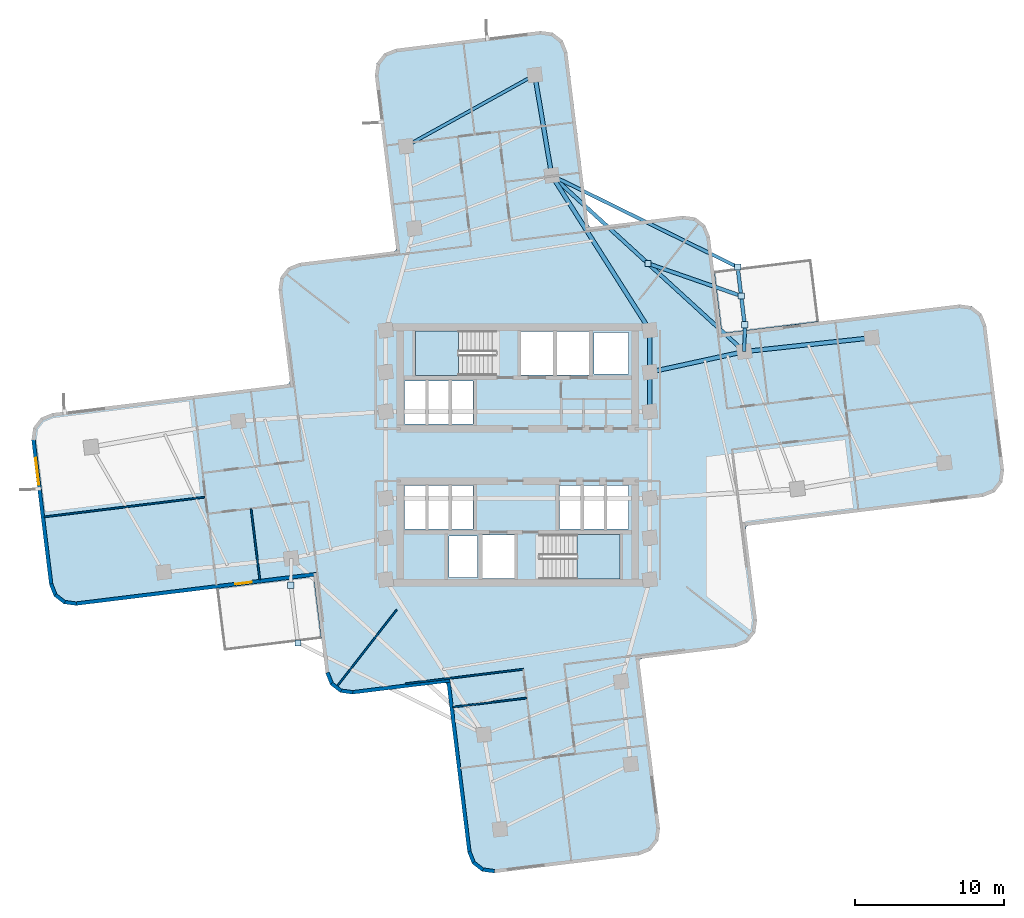
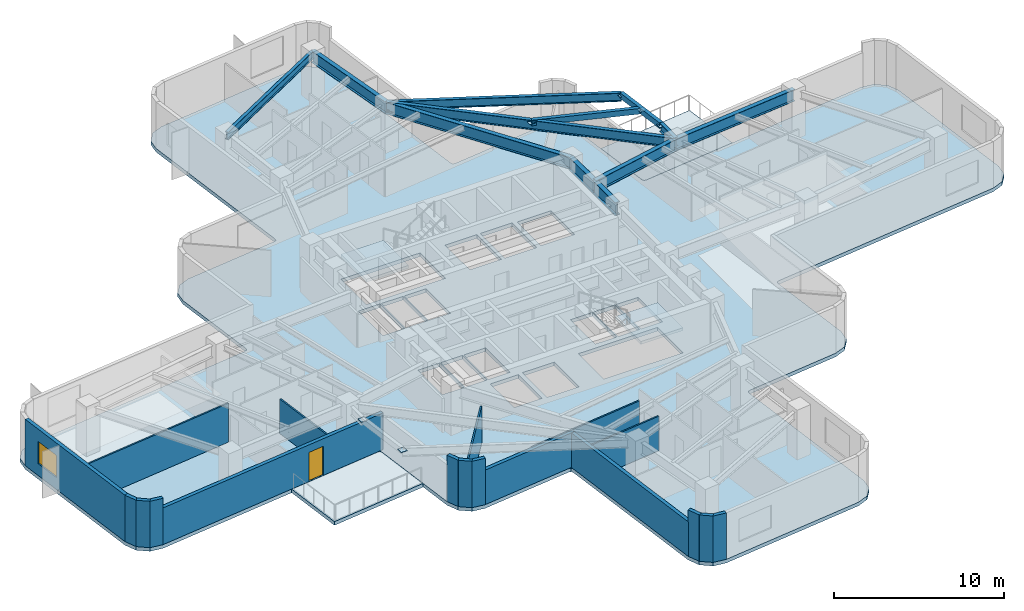
# One storey, part 2 of 9: 18 walls, 12 beams, 6 plates, 5 slabs, 1 door, 1 window, 2 openings, 2 elements without a shape of their own.
"""IFC4 building model written with IfcOpenShell, lengths in metres."""

from ifc_helpers import new_model, si_unit, direction, frame, frame_2d, origin, origin_2d, place, context, subcontext, project, spatial, polyline, rectangle, hollow_rectangle, i_section, outline, extrude, material, layer, layer_set, material_profile, profile_set, type_object, element, fill, aggregate, save


model = new_model("IFC4")

# Units and contexts
model_context = context("Model", 3, precision=1e-05, world=origin(), true_north=direction((0.0, 1.0)))
body_context = subcontext(model_context, "Body", "Model", "MODEL_VIEW")
ifc_project = project(units=[si_unit("LENGTHUNIT", "METRE"), si_unit("AREAUNIT", "SQUARE_METRE"), si_unit("VOLUMEUNIT", "CUBIC_METRE"), si_unit("PLANEANGLEUNIT", "RADIAN"), si_unit("MASSUNIT", "GRAM", prefix="KILO")], contexts=[model_context])

# Site, building, storey
site_placement = place(None, origin())
site = spatial("IfcSite", under=ifc_project, at=site_placement, CompositionType="ELEMENT")
building_placement = place(site_placement, origin())
building = spatial("IfcBuilding", under=site, at=building_placement, Name="Solmarez Civic Tower", CompositionType="ELEMENT")
storey_placement = place(building_placement, frame((0.0, 0.0, 78.47998046875)))
storey = spatial("IfcBuildingStorey", under=building, at=storey_placement, Name="L20", CompositionType="ELEMENT", Elevation=78.47998046875)

# Beams
ifc_material_1 = material(Name="Steel S355", Category="steel")
ifc_material_profile_1 = material_profile(ifc_material_1, i_section(OverallWidth=0.25390625, OverallDepth=0.68798828125, WebThickness=0.01318359375, FlangeThickness=0.02099609375, at=origin_2d()), Name="W27X102")
ifc_profile_set_1 = profile_set([ifc_material_profile_1], Name="Steel S355")
beam_type_1 = type_object("IfcBeamType", Name="BM-PR-W27X102", PredefinedType="BEAM", material=ifc_profile_set_1)
beam_1_placement = place(storey_placement, frame((15.175048828125, 6.927001953125, 2.99609375), z_axis=(-0.738053646973, 0.674742035292, 0.0), x_axis=(-0.674742035292, -0.738053646973, 0.0)))
element("IfcBeam", 1, at=beam_1_placement, inside=storey, type_object=beam_type_1, Name="L20 Primary Floor Beam BM-L20-BALC-NEC", PredefinedType="BEAM", context=body_context, shape_type="SweptSolid", body=[
    extrude(i_section(OverallWidth=0.25390625, OverallDepth=0.68798828125, WebThickness=0.01318359375, FlangeThickness=0.02099609375, at=origin_2d()), origin(), (0.0, 0.0, 1.0), 17.48388671875),
])
ifc_material_profile_2 = material_profile(ifc_material_1, i_section(OverallWidth=0.2919921875, OverallDepth=0.845947265625, WebThickness=0.015380859375, FlangeThickness=0.0244140625, at=origin_2d()), Name="W33X141")
ifc_profile_set_2 = profile_set([ifc_material_profile_2], Name="Steel S355")
beam_type_2 = type_object("IfcBeamType", Name="BM-PR-W33X141", PredefinedType="BEAM", material=ifc_profile_set_2)
beam_2_placement = place(storey_placement, frame((8.85009765625, 5.550048828125, 2.9169921875), z_axis=(0.977113347202, 0.212719314402, 0.0), x_axis=(-0.212719314402, 0.977113347202, 0.0)))
element("IfcBeam", 2, at=beam_2_placement, inside=storey, type_object=beam_type_2, Name="L20 Primary Floor Beam BM-L20-EA-R1B", PredefinedType="BEAM", context=body_context, shape_type="SweptSolid", body=[
    extrude(i_section(OverallWidth=0.2919921875, OverallDepth=0.845947265625, WebThickness=0.015380859375, FlangeThickness=0.0244140625, at=origin_2d()), origin(), (0.0, 0.0, 1.0), 6.47314453125),
])
beam_3_placement = place(storey_placement, frame((15.175048828125, 6.927001953125, 2.9169921875), z_axis=(0.994196782435, 0.107576753045, 0.0), x_axis=(-0.107576753045, 0.994196782435, 0.0)))
element("IfcBeam", 3, at=beam_3_placement, inside=storey, type_object=beam_type_2, Name="L20 Primary Floor Beam BM-L20-EA-R2B", PredefinedType="BEAM", context=body_context, shape_type="SweptSolid", body=[
    extrude(i_section(OverallWidth=0.2919921875, OverallDepth=0.845947265625, WebThickness=0.015380859375, FlangeThickness=0.0244140625, at=origin_2d()), origin(), (0.0, 0.0, 1.0), 8.58984375),
])
beam_4_placement = place(storey_placement, frame((8.85009765625, 8.35009765625, 2.9169921875), z_axis=(-0.535568299099, 0.84449191648, 0.0), x_axis=(-0.84449191648, -0.535568299099, 0.0)))
element("IfcBeam", 4, at=beam_4_placement, inside=storey, type_object=beam_type_2, Name="L20 Primary Floor Beam BM-L20-NA-R1A", PredefinedType="BEAM", context=body_context, shape_type="SweptSolid", body=[
    extrude(i_section(OverallWidth=0.2919921875, OverallDepth=0.845947265625, WebThickness=0.015380859375, FlangeThickness=0.0244140625, at=origin_2d()), origin(), (0.0, 0.0, 1.0), 12.284423828125),
])
beam_5_placement = place(storey_placement, frame((2.27099609375, 18.72412109375, 2.9169921875), z_axis=(-0.165813708215, 0.986157094062, 0.0), x_axis=(-0.986157094062, -0.165813708215, 0.0)))
element("IfcBeam", 5, at=beam_5_placement, inside=storey, type_object=beam_type_2, Name="L20 Primary Floor Beam BM-L20-NA-R2A", PredefinedType="BEAM", context=body_context, shape_type="SweptSolid", body=[
    extrude(i_section(OverallWidth=0.2919921875, OverallDepth=0.845947265625, WebThickness=0.015380859375, FlangeThickness=0.0244140625, at=origin_2d()), origin(), (0.0, 0.0, 1.0), 6.827392578125),
])
ifc_material_profile_3 = material_profile(ifc_material_1, i_section(OverallWidth=0.306884765625, OverallDepth=0.927001953125, WebThickness=0.019287109375, FlangeThickness=0.031982421875, at=origin_2d()), Name="W36X194")
ifc_profile_set_3 = profile_set([ifc_material_profile_3], Name="Steel S355")
beam_type_3 = type_object("IfcBeamType", Name="BM-PR-W36X194", PredefinedType="BEAM", material=ifc_profile_set_3)
beam_6_placement = place(storey_placement, frame((8.85009765625, 2.89990234375, 2.8759765625), z_axis=(0.0, 1.0, 0.0), x_axis=(-1.0, 0.0, 0.0)))
element("IfcBeam", 6, at=beam_6_placement, inside=storey, type_object=beam_type_3, Name="L20 Primary Floor Beam BM-L20-HC7-HC8", PredefinedType="BEAM", context=body_context, shape_type="SweptSolid", body=[
    extrude(i_section(OverallWidth=0.306884765625, OverallDepth=0.927001953125, WebThickness=0.019287109375, FlangeThickness=0.031982421875, at=origin_2d()), origin(), (0.0, 0.0, 1.0), 2.650146484375),
])
beam_7_placement = place(storey_placement, frame((8.85009765625, 5.550048828125, 2.8759765625), z_axis=(0.0, 1.0, 0.0), x_axis=(-1.0, 0.0, 0.0)))
element("IfcBeam", 7, at=beam_7_placement, inside=storey, type_object=beam_type_3, Name="L20 Primary Floor Beam BM-L20-HC8-HC11", PredefinedType="BEAM", context=body_context, shape_type="SweptSolid", body=[
    extrude(i_section(OverallWidth=0.306884765625, OverallDepth=0.927001953125, WebThickness=0.019287109375, FlangeThickness=0.031982421875, at=origin_2d()), origin(), (0.0, 0.0, 1.0), 2.800048828125),
])
ifc_material_profile_4 = material_profile(ifc_material_1, hollow_rectangle(XDim=0.25, YDim=0.39990234375, WallThickness=0.01611328125, at=origin_2d()), Name="HSS400X250X16")
ifc_profile_set_4 = profile_set([ifc_material_profile_4], Name="Steel S355")
beam_type_4 = type_object("IfcBeamType", Name="BM-SP-HSS400X250", PredefinedType="SPANDREL", material=ifc_profile_set_4)
beam_8_placement = place(storey_placement, frame((15.200927734375, 8.718017578125, 3.14013671875), z_axis=(-0.121791735099, 0.992555677663, 0.0), x_axis=(-0.992555677663, -0.121791735099, 0.0)))
element("IfcBeam", 8, at=beam_8_placement, inside=storey, type_object=beam_type_4, Name="L20 Perimeter Spandrel Beam BM-L20-BALC-NEE", PredefinedType="SPANDREL", context=body_context, shape_type="SweptSolid", body=[
    extrude(hollow_rectangle(XDim=0.25, YDim=0.39990234375, WallThickness=0.01611328125, at=origin_2d()), origin(), (0.0, 0.0, 1.0), 3.89892578125),
])
beam_9_placement = place(storey_placement, frame((8.722900390625, 12.824951171875, 3.14013671875), z_axis=(0.944428981285, -0.328715529462, 0.0), x_axis=(0.328715529462, 0.944428981285, 0.0)))
element("IfcBeam", 9, at=beam_9_placement, inside=storey, type_object=beam_type_4, Name="L20 Perimeter Spandrel Beam BM-L20-BALC-NEM", PredefinedType="SPANDREL", context=body_context, shape_type="SweptSolid", body=[
    extrude(hollow_rectangle(XDim=0.25, YDim=0.39990234375, WallThickness=0.01611328125, at=origin_2d()), origin(), (0.0, 0.0, 1.0), 6.607177734375),
])
ifc_material_profile_5 = material_profile(ifc_material_1, i_section(OverallWidth=0.2109375, OverallDepth=0.5390625, WebThickness=0.01171875, FlangeThickness=0.018798828125, at=origin_2d()), Name="W21X73")
ifc_profile_set_5 = profile_set([ifc_material_profile_5], Name="Steel S355")
beam_type_5 = type_object("IfcBeamType", Name="BM-SP-W21X73", PredefinedType="SPANDREL", material=ifc_profile_set_5)
beam_10_placement = place(storey_placement, frame((1.138916015625, 25.45703125, 3.070068359375), z_axis=(-0.874811531682, -0.484463398035, 0.0), x_axis=(0.484463398035, -0.874811531682, 0.0)))
element("IfcBeam", 10, at=beam_10_placement, inside=storey, type_object=beam_type_5, Name="L20 Perimeter Spandrel Beam BM-L20-NA-T2", PredefinedType="SPANDREL", context=body_context, shape_type="SweptSolid", body=[
    extrude(i_section(OverallWidth=0.2109375, OverallDepth=0.5390625, WebThickness=0.01171875, FlangeThickness=0.018798828125, at=origin_2d()), origin(), (0.0, 0.0, 1.0), 9.862548828125),
])
ifc_material_profile_6 = material_profile(ifc_material_1, i_section(OverallWidth=0.22900390625, OverallDepth=0.612060546875, WebThickness=0.011962890625, FlangeThickness=0.01953125, at=origin_2d()), Name="W24X84")
ifc_profile_set_6 = profile_set([ifc_material_profile_6], Name="Steel S355")
beam_type_6 = type_object("IfcBeamType", Name="BM-SP-W24X84", PredefinedType="SPANDREL", material=ifc_profile_set_6)
beam_11_placement = place(storey_placement, frame((15.175048828125, 6.927001953125, 3.033935546875), z_axis=(0.014447783027, 0.999895625336, 0.0), x_axis=(-0.999895625336, 0.014447783027, 0.0)))
element("IfcBeam", 11, at=beam_11_placement, inside=storey, type_object=beam_type_6, Name="L20 Perimeter Spandrel Beam BM-L20-BALC-NE1", PredefinedType="SPANDREL", context=body_context, shape_type="SweptSolid", body=[
    extrude(i_section(OverallWidth=0.22900390625, OverallDepth=0.612060546875, WebThickness=0.011962890625, FlangeThickness=0.01953125, at=origin_2d()), origin(), (0.0, 0.0, 1.0), 1.791259765625),
])
beam_12_placement = place(storey_placement, frame((2.27099609375, 18.72412109375, 3.033935546875), z_axis=(0.897042216925, -0.441944862008, 0.0), x_axis=(0.441944862008, 0.897042216925, 0.0)))
element("IfcBeam", 12, at=beam_12_placement, inside=storey, type_object=beam_type_6, Name="L20 Perimeter Spandrel Beam BM-L20-BALC-NE2", PredefinedType="SPANDREL", context=body_context, shape_type="SweptSolid", body=[
    extrude(i_section(OverallWidth=0.22900390625, OverallDepth=0.612060546875, WebThickness=0.011962890625, FlangeThickness=0.01953125, at=origin_2d()), origin(), (0.0, 0.0, 1.0), 13.884521484375),
])

# Plates
ifc_layer_1 = layer(ifc_material_1, 0.02392578125)
ifc_layer_set_1 = layer_set([ifc_layer_1], Name="Steel S355")
plate_type = type_object("IfcPlateType", Name="PLT-CAP-380", PredefinedType="USERDEFINED", material=ifc_layer_set_1)
for number, where, z_axis, x_axis, name in (
    (13, (15.200927734375, 8.718017578125, 3.128173828125), (0.0, 0.0, 1.0), (1.0, 0.0, 0.0), "Steel Member End Cap Plate CAP-BM-L20-BALC-NEE-0"),
    (14, (14.72607421875, 12.587890625, 3.128173828125), (0.0, 0.0, 1.0), (1.0, 0.0, 0.0), "Steel Member End Cap Plate CAP-BM-L20-BALC-NEE-1"),
    (15, (8.722900390625, 12.824951171875, 3.128173828125), (0.0, 0.0, 1.0), (1.0, 0.0, 0.0), "Steel Member End Cap Plate CAP-BM-L20-BALC-NEM-0"),
    (16, (14.962890625, 10.653076171875, 3.128173828125), (0.0, 0.0, 1.0), (1.0, 0.0, 0.0), "Steel Member End Cap Plate CAP-BM-L20-BALC-NEM-1"),
    (17, (-15.200927734375, -8.718017578125, 3.128173828125), (0.0, 0.0, 1.0), (1.0, 0.0, 0.0), "Steel Member End Cap Plate CAP-BM-L20-BALC-SWE-0"),
    (18, (-14.72607421875, -12.587890625, 3.128173828125), (0.0, 0.0, 1.0), (1.0, 0.0, 0.0), "Steel Member End Cap Plate CAP-BM-L20-BALC-SWE-1"),
):
    element("IfcPlate", number, at=place(storey_placement, frame(where, z_axis=z_axis, x_axis=x_axis)), inside=storey, type_object=plate_type, Name=name, ObjectType="CAP_PLATE", PredefinedType="USERDEFINED", context=body_context, shape_type="SweptSolid", body=[
        extrude(rectangle(XDim=0.419921875, YDim=0.419921875, at=origin_2d()), origin(), (0.0, 0.0, 1.0), 0.02392578125),
    ])

# Stair, slab
ifc_material_2 = material(Name="Concrete C50/60", Category="concrete")
stair_type = type_object("IfcStairType", Name="STAIR-DOGLEG-140W-20R-1800", PredefinedType="HALF_TURN_STAIR", material=ifc_material_2)
stair_1_placement = place(storey_placement, origin())
stair_1 = element("IfcStair", 19, at=stair_1_placement, inside=storey, type_object=stair_type, Name="L20 North Core Protected Exit Stair ST-1", PredefinedType="HALF_TURN_STAIR")
ifc_layer_2 = layer(ifc_material_2, 0.199951171875)
ifc_layer_set_2 = layer_set([ifc_layer_2], Name="Concrete C50/60")
slab_type_1 = type_object("IfcSlabType", Name="SLAB-LANDING-200", PredefinedType="LANDING", material=ifc_layer_set_2)
slab_1_placement = place(storey_placement, frame((0.0, 0.0, 1.60009765625)))
slab_1 = element("IfcSlab", 20, at=slab_1_placement, type_object=slab_type_1, Name="ST-1 landing 1", PredefinedType="LANDING", context=body_context, shape_type="SweptSolid", body=[
    extrude(outline(polyline([(-3.969970703125, 8.320068359375), (-6.85009765625, 8.320068359375), (-6.85009765625, 5.320068359375), (-3.969970703125, 5.320068359375), (-3.969970703125, 8.320068359375)])), origin(), (0.0, 0.0, 1.0), 0.199951171875),
])
aggregate(stair_1, [slab_1])

stair_2_placement = place(storey_placement, origin())
stair_2 = element("IfcStair", 21, at=stair_2_placement, inside=storey, type_object=stair_type, Name="L20 South Core Protected Exit Stair ST-2", PredefinedType="HALF_TURN_STAIR")
slab_2_placement = place(storey_placement, frame((0.0, 0.0, 1.60009765625)))
slab_2 = element("IfcSlab", 22, at=slab_2_placement, type_object=slab_type_1, Name="ST-2 landing 1", PredefinedType="LANDING", context=body_context, shape_type="SweptSolid", body=[
    extrude(outline(polyline([(3.969970703125, -8.320068359375), (6.85009765625, -8.320068359375), (6.85009765625, -5.320068359375), (3.969970703125, -5.320068359375), (3.969970703125, -8.320068359375)])), origin(), (0.0, 0.0, 1.0), 0.199951171875),
])
aggregate(stair_2, [slab_2])

# Slabs
ifc_layer_3 = layer(ifc_material_2, 0.260009765625)
ifc_layer_set_3 = layer_set([ifc_layer_3], Name="Concrete C50/60")
slab_type_2 = type_object("IfcSlabType", Name="SLAB-TOWER-260", PredefinedType="FLOOR", material=ifc_layer_set_3)
slab_3_placement = place(storey_placement, frame((0.0, 0.0, -0.260009765625)))
element("IfcSlab", 23, at=slab_3_placement, inside=storey, type_object=slab_type_2, Name="L20 Structural Slab", PredefinedType="FLOOR", context=body_context, shape_type="SweptSolid", body=[
    extrude(outline(polyline([(-13.635986328125, -8.3349609375), (-12.863037109375, -14.626953125), (-12.552978515625, -15.39501953125), (-11.89990234375, -15.904052734375), (-11.080078125, -16.02001953125), (-4.967041015625, -15.26904296875), (-4.797119140625, -15.29296875), (-4.73193359375, -15.452880859375), (-3.362060546875, -26.60791015625), (-3.052001953125, -27.3759765625), (-2.39892578125, -27.885986328125), (-1.5791015625, -28.0009765625), (8.1279296875, -26.80908203125), (8.89599609375, -26.4990234375), (9.406005859375, -25.845947265625), (9.52099609375, -25.02587890625), (8.15087890625, -13.87109375), (8.175048828125, -13.699951171875), (8.3349609375, -13.635986328125), (14.626953125, -12.863037109375), (15.39501953125, -12.552978515625), (15.904052734375, -11.89990234375), (16.02001953125, -11.080078125), (15.26904296875, -4.967041015625), (15.29296875, -4.797119140625), (15.452880859375, -4.73193359375), (31.174072265625, -2.802001953125), (31.94189453125, -2.490966796875), (32.451904296875, -1.839111328125), (32.56689453125, -1.01904296875), (31.375, 8.68798828125), (31.06494140625, 9.4560546875), (30.412109375, 9.966064453125), (29.592041015625, 10.0810546875), (13.87109375, 8.15087890625), (13.699951171875, 8.175048828125), (13.635986328125, 8.3349609375), (12.863037109375, 14.626953125), (12.552978515625, 15.39501953125), (11.89990234375, 15.904052734375), (11.080078125, 16.02001953125), (4.967041015625, 15.26904296875), (4.797119140625, 15.29296875), (4.73193359375, 15.452880859375), (3.31396484375, 27.0048828125), (3.0029296875, 27.77294921875), (2.35107421875, 28.282958984375), (1.531005859375, 28.39794921875), (-8.177001953125, 27.2060546875), (-8.944091796875, 26.89599609375), (-9.4541015625, 26.242919921875), (-9.570068359375, 25.423095703125), (-8.15087890625, 13.87109375), (-8.175048828125, 13.699951171875), (-8.3349609375, 13.635986328125), (-14.626953125, 12.863037109375), (-15.39501953125, 12.552978515625), (-15.904052734375, 11.89990234375), (-16.02001953125, 11.080078125), (-15.26904296875, 4.967041015625), (-15.29296875, 4.797119140625), (-15.452880859375, 4.73193359375), (-31.174072265625, 2.802001953125), (-31.94189453125, 2.490966796875), (-32.451904296875, 1.839111328125), (-32.56689453125, 1.01904296875), (-31.375, -8.68798828125), (-31.06494140625, -9.4560546875), (-30.412109375, -9.966064453125), (-29.592041015625, -10.0810546875), (-13.87109375, -8.15087890625), (-13.699951171875, -8.175048828125), (-13.635986328125, -8.3349609375)]), holes=[polyline([(-1.449951171875, 8.320068359375), (-6.85009765625, 8.320068359375), (-6.85009765625, 5.320068359375), (-1.449951171875, 5.320068359375), (-1.449951171875, 8.320068359375)]), polyline([(1.449951171875, -8.320068359375), (6.85009765625, -8.320068359375), (6.85009765625, -5.320068359375), (1.449951171875, -5.320068359375), (1.449951171875, -8.320068359375)]), polyline([(0.219970703125, 5.360107421875), (2.3798828125, 5.360107421875), (2.3798828125, 8.280029296875), (0.219970703125, 8.280029296875), (0.219970703125, 5.360107421875)]), polyline([(2.6201171875, 5.360107421875), (4.780029296875, 5.360107421875), (4.780029296875, 8.280029296875), (2.6201171875, 8.280029296875), (2.6201171875, 5.360107421875)]), polyline([(-2.3798828125, -8.280029296875), (-0.219970703125, -8.280029296875), (-0.219970703125, -5.360107421875), (-2.3798828125, -5.360107421875), (-2.3798828125, -8.280029296875)]), polyline([(2.800048828125, -4.9599609375), (4.280029296875, -4.9599609375), (4.280029296875, -2.06005859375), (2.800048828125, -2.06005859375), (2.800048828125, -4.9599609375)]), polyline([(4.360107421875, -4.9599609375), (5.840087890625, -4.9599609375), (5.840087890625, -2.06005859375), (4.360107421875, -2.06005859375), (4.360107421875, -4.9599609375)]), polyline([(5.919921875, -4.9599609375), (7.39990234375, -4.9599609375), (7.39990234375, -2.06005859375), (5.919921875, -2.06005859375), (5.919921875, -4.9599609375)]), polyline([(-7.60009765625, -4.9599609375), (-6.1201171875, -4.9599609375), (-6.1201171875, -2.06005859375), (-7.60009765625, -2.06005859375), (-7.60009765625, -4.9599609375)]), polyline([(-6.0400390625, -4.9599609375), (-4.56005859375, -4.9599609375), (-4.56005859375, -2.06005859375), (-6.0400390625, -2.06005859375), (-6.0400390625, -4.9599609375)]), polyline([(-4.47998046875, -4.9599609375), (-3.0, -4.9599609375), (-3.0, -2.06005859375), (-4.47998046875, -2.06005859375), (-4.47998046875, -4.9599609375)]), polyline([(-7.60009765625, 2.06005859375), (-6.1201171875, 2.06005859375), (-6.1201171875, 4.9599609375), (-7.60009765625, 4.9599609375), (-7.60009765625, 2.06005859375)]), polyline([(-6.0400390625, 2.06005859375), (-4.56005859375, 2.06005859375), (-4.56005859375, 4.9599609375), (-6.0400390625, 4.9599609375), (-6.0400390625, 2.06005859375)]), polyline([(-4.47998046875, 2.06005859375), (-3.0, 2.06005859375), (-3.0, 4.9599609375), (-4.47998046875, 4.9599609375), (-4.47998046875, 2.06005859375)]), polyline([(5.10009765625, 5.419921875), (7.39990234375, 5.419921875), (7.39990234375, 8.219970703125), (5.10009765625, 8.219970703125), (5.10009765625, 5.419921875)]), polyline([(-4.60009765625, -8.219970703125), (-2.699951171875, -8.219970703125), (-2.699951171875, -5.419921875), (-4.60009765625, -5.419921875), (-4.60009765625, -8.219970703125)])]), origin(), (0.0, 0.0, 1.0), 0.260009765625),
])
slab_4_placement = place(storey_placement, frame((0.0, 0.0, -0.260009765625)))
element("IfcSlab", 24, at=slab_4_placement, inside=storey, type_object=slab_type_2, Name="L20 Re-entrant Corner Winter-Garden Balcony NE", PredefinedType="FLOOR", context=body_context, shape_type="SweptSolid", body=[
    extrude(outline(polyline([(13.152099609375, 12.2939453125), (13.637939453125, 8.3349609375), (13.701904296875, 8.177001953125), (13.87109375, 8.153076171875), (20.1630859375, 8.926025390625), (19.65087890625, 13.092041015625), (13.152099609375, 12.2939453125)])), origin(), (0.0, 0.0, 1.0), 0.260009765625),
])
slab_5_placement = place(storey_placement, frame((0.0, 0.0, -0.260009765625)))
element("IfcSlab", 25, at=slab_5_placement, inside=storey, type_object=slab_type_2, Name="L20 Re-entrant Corner Winter-Garden Balcony SW", PredefinedType="FLOOR", context=body_context, shape_type="SweptSolid", body=[
    extrude(outline(polyline([(-13.152099609375, -12.2939453125), (-13.637939453125, -8.3349609375), (-13.701904296875, -8.177001953125), (-13.87109375, -8.153076171875), (-20.1630859375, -8.926025390625), (-19.65087890625, -13.092041015625), (-13.152099609375, -12.2939453125)])), origin(), (0.0, 0.0, 1.0), 0.260009765625),
])

# Wall, opening, door
ifc_material_3 = material(Name="Precast concrete C40/50", Category="concrete")
ifc_layer_4 = layer(ifc_material_3, 0.239990234375)
ifc_layer_set_4 = layer_set([ifc_layer_4], Name="Precast concrete C40/50")
wall_type_1 = type_object("IfcWallType", Name="WALL-EXT-240", PredefinedType="SOLIDWALL", material=ifc_layer_set_4)
wall_1_placement = place(storey_placement, frame((-13.4619140625, -7.97998046875, 0.0), z_axis=(0.0, 0.0, 1.0), x_axis=(-0.992550299081, -0.121835560463, 0.0)))
wall_1 = element("IfcWall", 26, at=wall_1_placement, inside=storey, type_object=wall_type_1, Name="L20 Exterior Precast Wall 2", PredefinedType="SOLIDWALL", context=body_context, shape_type="SweptSolid", body=[
    extrude(rectangle(XDim=16.275390625, YDim=0.239990234375, at=frame_2d((8.1376953125, 0.0))), origin(), (0.0, 0.0, 1.0), 2.64404296875),
])
opening_1_placement = place(wall_1_placement, frame((4.39990234375, 0.0, 0.0)))
opening_1 = element("IfcOpeningElement", 27, at=opening_1_placement, cuts=wall_1, Name="Opening D-06", PredefinedType="OPENING", context=body_context, shape_type="SweptSolid", body=[
    extrude(rectangle(XDim=1.10009765625, YDim=2.10009765625, at=frame_2d((0.550048828125, 1.050048828125))), frame((0.0, 0.1298828125, 0.0), z_axis=(0.0, -1.0, 0.0), x_axis=(1.0, 0.0, 0.0)), (0.0, 0.0, 1.0), 0.260009765625),
])
ifc_material_4 = material(Name="Bronze Anodised Aluminium Glazed Terrace Door", Category="aluminium")
door_type = type_object("IfcDoorType", Name="DOOR-TERR-1100", OperationType="NOTDEFINED", PredefinedType="DOOR", material=ifc_material_4)
door_placement = place(opening_1_placement, origin())
door = element("IfcDoor", 28, at=door_placement, inside=storey, type_object=door_type, Name="L20 Outdoor Terrace Glazed Door", OperationType="SINGLE_SWING_RIGHT", OverallHeight=2.10009765625, OverallWidth=1.10009765625, PredefinedType="DOOR", context=body_context, shape_type="SweptSolid", body=[
    extrude(rectangle(XDim=1.10009765625, YDim=2.10009765625, at=frame_2d((0.550048828125, 1.050048828125))), frame((0.0, 0.02490234375, 0.0), z_axis=(0.0, -1.0, 0.0), x_axis=(1.0, 0.0, 0.0)), (0.0, 0.0, 1.0), 0.050048828125),
])
fill(opening_1, door)

# Walls
wall_2_placement = place(storey_placement, frame((-29.56591796875, -9.962890625, 0.0), z_axis=(0.0, 0.0, 1.0), x_axis=(-0.990579937989, 0.136935701899, 0.0)))
element("IfcWall", 29, at=wall_2_placement, inside=storey, type_object=wall_type_1, Name="L20 Exterior Precast Wall 3", PredefinedType="SOLIDWALL", context=body_context, shape_type="SweptSolid", body=[
    extrude(rectangle(XDim=0.830810546875, YDim=0.239990234375, at=frame_2d((0.41552734375, 0.0))), origin(), (0.0, 0.0, 1.0), 3.340087890625),
])
wall_3_placement = place(storey_placement, frame((-30.343994140625, -9.866943359375, 0.0), z_axis=(0.0, 0.0, 1.0), x_axis=(-0.788996702001, 0.614397431824, 0.0)))
element("IfcWall", 30, at=wall_3_placement, inside=storey, type_object=wall_type_1, Name="L20 Exterior Precast Wall 4", PredefinedType="SOLIDWALL", context=body_context, shape_type="SweptSolid", body=[
    extrude(rectangle(XDim=0.813720703125, YDim=0.239990234375, at=frame_2d((0.40673828125, 0.0))), origin(), (0.0, 0.0, 1.0), 3.340087890625),
])
wall_4_placement = place(storey_placement, frame((-30.95703125, -9.405029296875, 0.0), z_axis=(0.0, 0.0, 1.0), x_axis=(-0.373519459995, 0.927622343955, 0.0)))
element("IfcWall", 31, at=wall_4_placement, inside=storey, type_object=wall_type_1, Name="L20 Exterior Precast Wall 5", PredefinedType="SOLIDWALL", context=body_context, shape_type="SweptSolid", body=[
    extrude(rectangle(XDim=0.830078125, YDim=0.239990234375, at=frame_2d((0.4150390625, 0.0))), origin(), (0.0, 0.0, 1.0), 3.340087890625),
])

# Wall, opening, window
wall_5_placement = place(storey_placement, frame((-31.2548828125, -8.68310546875, 0.0), z_axis=(0.0, 0.0, 1.0), x_axis=(-0.12185728374, 0.992547632308, 0.0)))
wall_5 = element("IfcWall", 32, at=wall_5_placement, inside=storey, type_object=wall_type_1, Name="L20 Exterior Precast Wall 6", PredefinedType="SOLIDWALL", context=body_context, shape_type="SweptSolid", body=[
    extrude(rectangle(XDim=9.799072265625, YDim=0.239990234375, at=frame_2d((4.8994140625, 0.0))), origin(), (0.0, 0.0, 1.0), 3.340087890625),
])
opening_2_placement = place(wall_5_placement, frame((6.742919921875, 0.0, 0.85009765625)))
opening_2 = element("IfcOpeningElement", 33, at=opening_2_placement, cuts=wall_5, Name="Opening W-12", PredefinedType="OPENING", context=body_context, shape_type="SweptSolid", body=[
    extrude(rectangle(XDim=1.800048828125, YDim=1.60009765625, at=frame_2d((0.89990234375, 0.800048828125))), frame((0.0, 0.1298828125, 0.0), z_axis=(0.0, -1.0, 0.0), x_axis=(1.0, 0.0, 0.0)), (0.0, 0.0, 1.0), 0.260009765625),
])
ifc_material_5 = material(Name="Solar Control Bronze-Tinted Insulating Glass", Category="glass")
window_type = type_object("IfcWindowType", Name="WIN-1800X1600", PartitioningType="SINGLE_PANEL", PredefinedType="WINDOW", material=ifc_material_5)
window_placement = place(opening_2_placement, origin())
window = element("IfcWindow", 34, at=window_placement, inside=storey, type_object=window_type, Name="L20 Exterior Facade Window 6", OverallHeight=1.60009765625, OverallWidth=1.800048828125, PartitioningType="SINGLE_PANEL", PredefinedType="WINDOW", context=body_context, shape_type="SweptSolid", body=[
    extrude(rectangle(XDim=1.800048828125, YDim=1.60009765625, at=frame_2d((0.89990234375, 0.800048828125))), frame((0.0, 0.030029296875, 0.0), z_axis=(0.0, -1.0, 0.0), x_axis=(1.0, 0.0, 0.0)), (0.0, 0.0, 1.0), 0.06005859375),
])
fill(opening_2, window)

# Walls
wall_6_placement = place(storey_placement, frame((-1.552978515625, -27.883056640625, 0.0), z_axis=(0.0, 0.0, 1.0), x_axis=(-0.990540037659, 0.137224027762, 0.0)))
element("IfcWall", 35, at=wall_6_placement, inside=storey, type_object=wall_type_1, Name="L20 Exterior Precast Wall 61", PredefinedType="SOLIDWALL", context=body_context, shape_type="SweptSolid", body=[
    extrude(rectangle(XDim=0.830810546875, YDim=0.239990234375, at=frame_2d((0.41552734375, 0.0))), origin(), (0.0, 0.0, 1.0), 3.340087890625),
])
wall_7_placement = place(storey_placement, frame((-2.3310546875, -27.787109375, 0.0), z_axis=(0.0, 0.0, 1.0), x_axis=(-0.788156162836, 0.615475314683, 0.0)))
element("IfcWall", 36, at=wall_7_placement, inside=storey, type_object=wall_type_1, Name="L20 Exterior Precast Wall 62", PredefinedType="SOLIDWALL", context=body_context, shape_type="SweptSolid", body=[
    extrude(rectangle(XDim=0.814453125, YDim=0.239990234375, at=frame_2d((0.4072265625, 0.0))), origin(), (0.0, 0.0, 1.0), 3.340087890625),
])
wall_8_placement = place(storey_placement, frame((-2.944091796875, -27.323974609375, 0.0), z_axis=(0.0, 0.0, 1.0), x_axis=(-0.37367418264, 0.92756002783, 0.0)))
element("IfcWall", 37, at=wall_8_placement, inside=storey, type_object=wall_type_1, Name="L20 Exterior Precast Wall 63", PredefinedType="SOLIDWALL", context=body_context, shape_type="SweptSolid", body=[
    extrude(rectangle(XDim=0.8291015625, YDim=0.239990234375, at=frame_2d((0.41455078125, 0.0))), origin(), (0.0, 0.0, 1.0), 3.340087890625),
])
wall_9_placement = place(storey_placement, frame((-3.241943359375, -26.60302734375, 0.0), z_axis=(0.0, 0.0, 1.0), x_axis=(-0.121890578705, 0.992543544044, 0.0)))
element("IfcWall", 38, at=wall_9_placement, inside=storey, type_object=wall_type_1, Name="L20 Exterior Precast Wall 64", PredefinedType="SOLIDWALL", context=body_context, shape_type="SweptSolid", body=[
    extrude(rectangle(XDim=11.67529296875, YDim=0.239990234375, at=frame_2d((5.837646484375, 0.0))), origin(), (0.0, 0.0, 1.0), 2.486083984375),
])
wall_10_placement = place(storey_placement, frame((-4.55810546875, -15.097900390625, 0.0), z_axis=(0.0, 0.0, 1.0), x_axis=(-0.992537639855, -0.121938646341, 0.0)))
element("IfcWall", 39, at=wall_10_placement, inside=storey, type_object=wall_type_1, Name="L20 Exterior Precast Wall 67", PredefinedType="SOLIDWALL", context=body_context, shape_type="SweptSolid", body=[
    extrude(rectangle(XDim=6.59521484375, YDim=0.239990234375, at=frame_2d((3.297607421875, 0.0))), origin(), (0.0, 0.0, 1.0), 2.486083984375),
])
wall_11_placement = place(storey_placement, frame((-11.053955078125, -15.902099609375, 0.0), z_axis=(0.0, 0.0, 1.0), x_axis=(-0.990379629694, 0.138376981782, 0.0)))
element("IfcWall", 40, at=wall_11_placement, inside=storey, type_object=wall_type_1, Name="L20 Exterior Precast Wall 68", PredefinedType="SOLIDWALL", context=body_context, shape_type="SweptSolid", body=[
    extrude(rectangle(XDim=0.8310546875, YDim=0.239990234375, at=frame_2d((0.41552734375, 0.0))), origin(), (0.0, 0.0, 1.0), 3.340087890625),
])
wall_12_placement = place(storey_placement, frame((-11.83203125, -15.804931640625, 0.0), z_axis=(0.0, 0.0, 1.0), x_axis=(-0.788996702001, 0.614397431824, 0.0)))
element("IfcWall", 41, at=wall_12_placement, inside=storey, type_object=wall_type_1, Name="L20 Exterior Precast Wall 69", PredefinedType="SOLIDWALL", context=body_context, shape_type="SweptSolid", body=[
    extrude(rectangle(XDim=0.813720703125, YDim=0.239990234375, at=frame_2d((0.40673828125, 0.0))), origin(), (0.0, 0.0, 1.0), 3.340087890625),
])
wall_13_placement = place(storey_placement, frame((-12.445068359375, -15.343017578125, 0.0), z_axis=(0.0, 0.0, 1.0), x_axis=(-0.37326634174, 0.927724225254, 0.0)))
element("IfcWall", 42, at=wall_13_placement, inside=storey, type_object=wall_type_1, Name="L20 Exterior Precast Wall 70", PredefinedType="SOLIDWALL", context=body_context, shape_type="SweptSolid", body=[
    extrude(rectangle(XDim=0.830078125, YDim=0.239990234375, at=frame_2d((0.4150390625, 0.0))), origin(), (0.0, 0.0, 1.0), 3.340087890625),
])
ifc_material_6 = material(Name="Gypsum Board Acoustic Steel-Stud Partition", Category="steel")
ifc_layer_5 = layer(ifc_material_6, 0.10009765625)
ifc_layer_set_5 = layer_set([ifc_layer_5], Name="Gypsum Board Acoustic Steel-Stud Partition")
wall_type_2 = type_object("IfcWallType", Name="WALL-INT-PART-100", PredefinedType="PARTITIONING", material=ifc_layer_set_5)
wall_14_placement = place(storey_placement, frame((-8.110107421875, -10.3798828125, 0.0), z_axis=(0.0, 0.0, 1.0), x_axis=(-0.615665236773, -0.788007814828, 0.0)))
element("IfcWall", 43, at=wall_14_placement, inside=storey, type_object=wall_type_2, Name="L20 Interior Partition PT-L20-QDIV-3", PredefinedType="PARTITIONING", context=body_context, shape_type="SweptSolid", body=[
    extrude(rectangle(XDim=6.482421875, YDim=0.10009765625, at=frame_2d((3.2412109375, 0.0))), origin(), (0.0, 0.0, 1.0), 2.64404296875),
])
wall_15_placement = place(storey_placement, frame((-17.864013671875, -3.60400390625, 0.0), z_axis=(0.0, 0.0, 1.0), x_axis=(0.121997782455, -0.992530372873, 0.0)))
element("IfcWall", 44, at=wall_15_placement, inside=storey, type_object=wall_type_2, Name="L20 Interior Partition PT-L20-W-LM", PredefinedType="PARTITIONING", context=body_context, shape_type="SweptSolid", body=[
    extrude(rectangle(XDim=4.794921875, YDim=0.10009765625, at=frame_2d((2.3974609375, 0.0))), origin(), (0.0, 0.0, 1.0), 2.486083984375),
])
wall_16_placement = place(storey_placement, frame((-20.971923828125, -2.826904296875, 0.0), z_axis=(0.0, 0.0, 1.0), x_axis=(-0.992550340633, -0.121835221953, 0.0)))
element("IfcWall", 45, at=wall_16_placement, inside=storey, type_object=wall_type_2, Name="L20 Interior Partition PT-L20-W-TM", PredefinedType="PARTITIONING", context=body_context, shape_type="SweptSolid", body=[
    extrude(rectangle(XDim=10.8349609375, YDim=0.10009765625, at=frame_2d((5.41748046875, 0.0))), origin(), (0.0, 0.0, 1.0), 2.79296875),
])
wall_17_placement = place(storey_placement, frame((-7.509033203125, -15.320068359375, 0.0), z_axis=(0.0, 0.0, 1.0), x_axis=(0.992529957607, 0.122001160868, 0.0)))
element("IfcWall", 46, at=wall_17_placement, inside=storey, type_object=wall_type_2, Name="L20 Interior Partition PT-L20-S-EFR", PredefinedType="PARTITIONING", context=body_context, shape_type="SweptSolid", body=[
    extrude(rectangle(XDim=7.950439453125, YDim=0.10009765625, at=frame_2d((3.97509765625, 0.0))), origin(), (0.0, 0.0, 1.0), 2.486083984375),
])
wall_18_placement = place(storey_placement, frame((-4.35009765625, -16.885986328125, 0.0), z_axis=(0.0, 0.0, 1.0), x_axis=(0.992554700093, 0.121799701653, 0.0)))
element("IfcWall", 47, at=wall_18_placement, inside=storey, type_object=wall_type_2, Name="L20 Interior Partition PT-L20-S-RM", PredefinedType="PARTITIONING", context=body_context, shape_type="SweptSolid", body=[
    extrude(rectangle(XDim=4.97509765625, YDim=0.10009765625, at=frame_2d((2.487548828125, 0.0))), origin(), (0.0, 0.0, 1.0), 2.486083984375),
])

save(model, "model.ifc")
